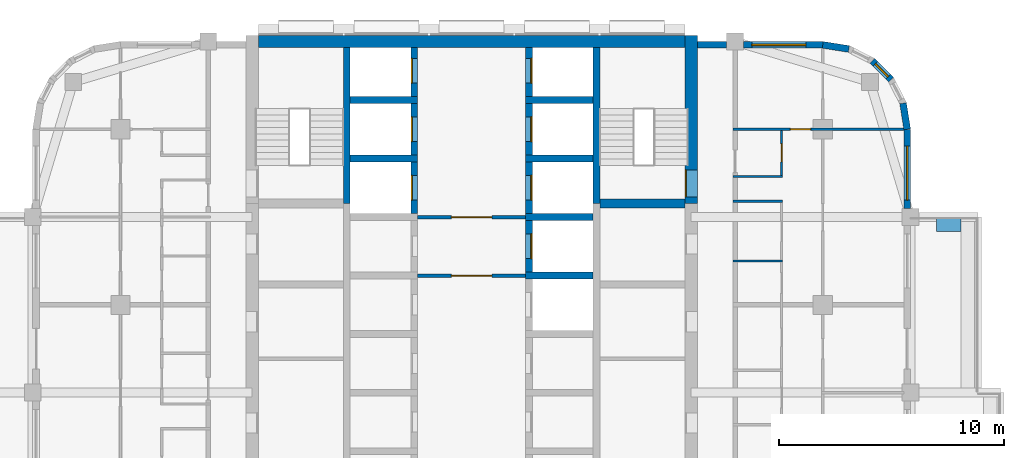
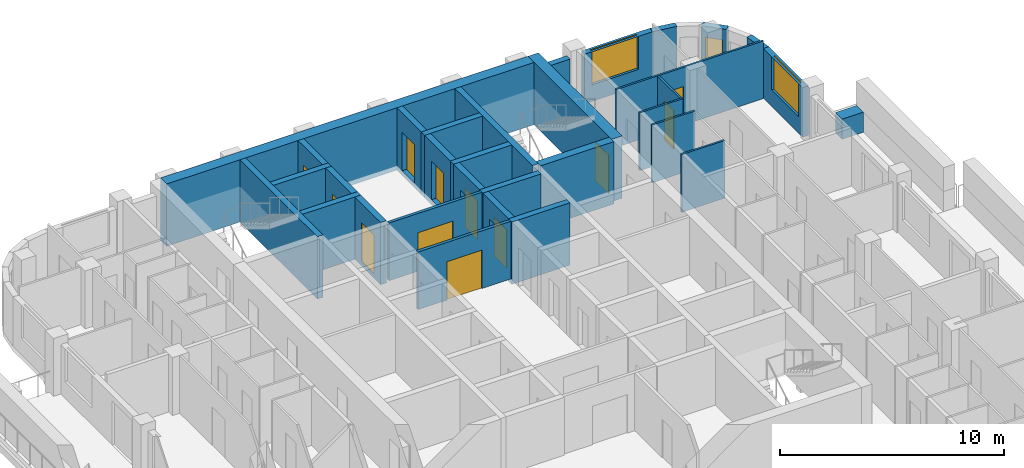
# One storey, part 8 of 13: 32 walls, 12 doors, 3 windows, 15 openings.
"""IFC4 building model written with IfcOpenShell, lengths in metres."""

from ifc_helpers import new_model, si_unit, direction, frame, frame_2d, origin, place, context, subcontext, project, spatial, rectangle, extrude, material, layer, layer_set, type_object, element, fill, save


model = new_model("IFC4")

# Units and contexts
model_context = context("Model", 3, precision=1e-05, world=origin(), true_north=direction((0.0, 1.0)))
body_context = subcontext(model_context, "Body", "Model", "MODEL_VIEW")
ifc_project = project(units=[si_unit("LENGTHUNIT", "METRE"), si_unit("AREAUNIT", "SQUARE_METRE"), si_unit("VOLUMEUNIT", "CUBIC_METRE"), si_unit("PLANEANGLEUNIT", "RADIAN"), si_unit("MASSUNIT", "GRAM", prefix="KILO")], contexts=[model_context])

# Site, building, storey
site_placement = place(None, origin())
site = spatial("IfcSite", under=ifc_project, at=site_placement, CompositionType="ELEMENT")
building_placement = place(site_placement, origin())
building = spatial("IfcBuilding", under=site, at=building_placement, Name="Ludao Terraces", CompositionType="ELEMENT")
storey_placement = place(building_placement, frame((0.0, 0.0, 165.60009765625)))
storey = spatial("IfcBuildingStorey", under=building, at=storey_placement, Name="L45", CompositionType="ELEMENT", Elevation=165.60009765625)

# Wall, opening, door
ifc_material_1 = material(Name="Concrete C60", Category="concrete")
ifc_layer_1 = layer(ifc_material_1, 0.550048828125)
ifc_layer_set_1 = layer_set([ifc_layer_1], Name="Core wall 550 C60")
wall_type_1 = type_object("IfcWallType", Name="Core wall 550 C60", PredefinedType="SOLIDWALL", material=ifc_layer_set_1)
wall_1_placement = place(storey_placement, frame((94.75, 77.300048828125, -0.25), z_axis=(0.0, 0.0, 1.0), x_axis=(0.0, 1.0, 0.0)))
wall_1 = element("IfcWall", 1, at=wall_1_placement, inside=storey, type_object=wall_type_1, Name="Core wall L45 outer-E-S2", PredefinedType="SOLIDWALL", context=body_context, shape_type="SweptSolid", body=[
    extrude(rectangle(XDim=7.474853515625, YDim=0.550048828125, at=frame_2d((3.7373046875, 0.0))), origin(), (0.0, 0.0, 1.0), 3.39990234375),
])
opening_1_placement = place(wall_1_placement, frame((0.300048828125, 0.0, 0.25)))
opening_1 = element("IfcOpeningElement", 2, at=opening_1_placement, cuts=wall_1, Name="Opening R15-076", PredefinedType="OPENING", context=body_context, shape_type="SweptSolid", body=[
    extrude(rectangle(XDim=1.199951171875, YDim=2.10009765625, at=frame_2d((0.60009765625, 1.050048828125))), frame((0.0, 0.28515625, 0.0), z_axis=(0.0, -1.0, 0.0), x_axis=(1.0, 0.0, 0.0)), (0.0, 0.0, 1.0), 0.570068359375),
])
ifc_material_2 = material(Name="Steel Q235", Category="steel")
door_type_1 = type_object("IfcDoorType", Name="INT Stair door 1200", OperationType="DOUBLE_DOOR_SINGLE_SWING", PredefinedType="DOOR", material=ifc_material_2)
door_1_placement = place(opening_1_placement, origin())
door_1 = element("IfcDoor", 3, at=door_1_placement, inside=storey, type_object=door_type_1, Name="DOOR 076", OperationType="DOUBLE_DOOR_SINGLE_SWING", OverallHeight=2.10009765625, OverallWidth=1.199951171875, PredefinedType="DOOR", context=body_context, shape_type="SweptSolid", body=[
    extrude(rectangle(XDim=1.199951171875, YDim=2.10009765625, at=frame_2d((0.60009765625, 1.050048828125))), frame((0.0, 0.26025390625, 0.0), z_axis=(0.0, -1.0, 0.0), x_axis=(1.0, 0.0, 0.0)), (0.0, 0.0, 1.0), 0.050048828125),
])
fill(opening_1, door_1)

# Walls
wall_2_placement = place(storey_placement, frame((75.52490234375, 84.5, -0.25), z_axis=(0.0, 0.0, 1.0), x_axis=(1.0, 0.0, 0.0)))
element("IfcWall", 4, at=wall_2_placement, inside=storey, type_object=wall_type_1, Name="Core wall L45 outer-N", PredefinedType="SOLIDWALL", context=body_context, shape_type="SweptSolid", body=[
    extrude(rectangle(XDim=18.9501953125, YDim=0.550048828125, at=frame_2d((9.47509765625, 0.0))), origin(), (0.0, 0.0, 1.0), 3.39990234375),
])
ifc_material_3 = material(Name="Concrete C40", Category="concrete")
ifc_layer_2 = layer(ifc_material_3, 0.60009765625)
ifc_layer_set_2 = layer_set([ifc_layer_2], Name="ENV Planter trough 600")
wall_type_2 = type_object("IfcWallType", Name="ENV Planter trough 600", PredefinedType="USERDEFINED", material=ifc_layer_set_2)
wall_3_placement = place(storey_placement, frame((106.75, 76.35009765625, 0.0), z_axis=(0.0, 0.0, 1.0), x_axis=(-1.0, 0.0, 0.0)))
element("IfcWall", 5, at=wall_3_placement, inside=storey, type_object=wall_type_2, Name="PL-L45-E3-SB", ObjectType="PLANTER", PredefinedType="USERDEFINED", context=body_context, shape_type="SweptSolid", body=[
    extrude(rectangle(XDim=1.10009765625, YDim=0.60009765625, at=frame_2d((0.550048828125, 0.0))), origin(), (0.0, 0.0, 1.0), 1.099853515625),
])

# Wall, opening, window
ifc_material_4 = material(Name="Granite cladding", Category="masonry")
ifc_layer_3 = layer(ifc_material_4, 0.0400390625, Category="stone")
ifc_material_5 = material(Name="Mineral wool")
ifc_layer_4 = layer(ifc_material_5, 0.06005859375)
ifc_layer_5 = layer(ifc_material_3, 0.199951171875, Category="concrete")
ifc_layer_set_3 = layer_set([ifc_layer_3, ifc_layer_4, ifc_layer_5], Name="ENV Stone-clad wall 300")
wall_type_3 = type_object("IfcWallType", Name="ENV Stone-clad wall 300", PredefinedType="SOLIDWALL", material=ifc_layer_set_3)
wall_4_placement = place(storey_placement, frame((104.35009765625, 77.074951171875, 0.0), z_axis=(0.0, 0.0, 1.0), x_axis=(0.0, 1.0, 0.0)))
wall_4 = element("IfcWall", 6, at=wall_4_placement, inside=storey, type_object=wall_type_3, Name="EW-L45-E5", PredefinedType="SOLIDWALL", context=body_context, shape_type="SweptSolid", body=[
    extrude(rectangle(XDim=3.525146484375, YDim=0.300048828125, at=frame_2d((1.7626953125, 0.0))), origin(), (0.0, 0.0, 1.0), 2.699951171875),
])
opening_2_placement = place(wall_4_placement, frame((0.375, 0.0, 0.89990234375)))
opening_2 = element("IfcOpeningElement", 7, at=opening_2_placement, cuts=wall_4, Name="Opening W1", PredefinedType="OPENING", context=body_context, shape_type="SweptSolid", body=[
    extrude(rectangle(XDim=2.39990234375, YDim=1.800048828125, at=frame_2d((1.199951171875, 0.89990234375))), frame((0.0, 0.16015625, 0.0), z_axis=(0.0, -1.0, 0.0), x_axis=(1.0, 0.0, 0.0)), (0.0, 0.0, 1.0), 0.320068359375),
])
ifc_material_6 = material(Name="Clear glass in aluminium frame", Category="aluminium")
ifc_layer_6 = layer(ifc_material_6, 0.06005859375)
ifc_layer_set_4 = layer_set([ifc_layer_6], Name="ENV Window W1 2400x1800")
window_type_1 = type_object("IfcWindowType", Name="ENV Window W1 2400x1800", PartitioningType="DOUBLE_PANEL_VERTICAL", PredefinedType="WINDOW", material=ifc_layer_set_4)
window_1_placement = place(opening_2_placement, origin())
window_1 = element("IfcWindow", 8, at=window_1_placement, inside=storey, type_object=window_type_1, Name="W-L45-E5-1", OverallHeight=1.800048828125, OverallWidth=2.39990234375, PartitioningType="DOUBLE_PANEL_VERTICAL", PredefinedType="WINDOW", context=body_context, shape_type="SweptSolid", body=[
    extrude(rectangle(XDim=2.39990234375, YDim=1.800048828125, at=frame_2d((1.199951171875, 0.89990234375))), frame((0.0, 0.030029296875, 0.0), z_axis=(0.0, -1.0, 0.0), x_axis=(1.0, 0.0, 0.0)), (0.0, 0.0, 1.0), 0.06005859375),
])
fill(opening_2, window_1)

# Wall
wall_5_placement = place(storey_placement, frame((95.02490234375, 84.35009765625, 0.0), z_axis=(0.0, 0.0, 1.0), x_axis=(1.0, 0.0, 0.0)))
element("IfcWall", 9, at=wall_5_placement, inside=storey, type_object=wall_type_3, Name="EW-L45-N3", PredefinedType="SOLIDWALL", context=body_context, shape_type="SweptSolid", body=[
    extrude(rectangle(XDim=1.300048828125, YDim=0.300048828125, at=frame_2d((0.64990234375, 0.0))), origin(), (0.0, 0.0, 1.0), 2.699951171875),
])

# Wall, opening, window
wall_6_placement = place(storey_placement, frame((97.074951171875, 84.35009765625, 0.0), z_axis=(0.0, 0.0, 1.0), x_axis=(1.0, 0.0, 0.0)))
wall_6 = element("IfcWall", 10, at=wall_6_placement, inside=storey, type_object=wall_type_3, Name="EW-L45-N4", PredefinedType="SOLIDWALL", context=body_context, shape_type="SweptSolid", body=[
    extrude(rectangle(XDim=3.525146484375, YDim=0.300048828125, at=frame_2d((1.7626953125, 0.0))), origin(), (0.0, 0.0, 1.0), 2.699951171875),
])
opening_3_placement = place(wall_6_placement, frame((0.375, 0.0, 0.89990234375)))
opening_3 = element("IfcOpeningElement", 11, at=opening_3_placement, cuts=wall_6, Name="Opening W1", PredefinedType="OPENING", context=body_context, shape_type="SweptSolid", body=[
    extrude(rectangle(XDim=2.39990234375, YDim=1.800048828125, at=frame_2d((1.199951171875, 0.89990234375))), frame((0.0, 0.16015625, 0.0), z_axis=(0.0, -1.0, 0.0), x_axis=(1.0, 0.0, 0.0)), (0.0, 0.0, 1.0), 0.320068359375),
])
window_2_placement = place(opening_3_placement, origin())
window_2 = element("IfcWindow", 12, at=window_2_placement, inside=storey, type_object=window_type_1, Name="W-L45-N4-1", OverallHeight=1.800048828125, OverallWidth=2.39990234375, PartitioningType="DOUBLE_PANEL_VERTICAL", PredefinedType="WINDOW", context=body_context, shape_type="SweptSolid", body=[
    extrude(rectangle(XDim=2.39990234375, YDim=1.800048828125, at=frame_2d((1.199951171875, 0.89990234375))), frame((0.0, 0.030029296875, 0.0), z_axis=(0.0, -1.0, 0.0), x_axis=(1.0, 0.0, 0.0)), (0.0, 0.0, 1.0), 0.06005859375),
])
fill(opening_3, window_2)

# Wall
wall_7_placement = place(storey_placement, frame((104.35009765625, 80.60009765625, 0.0), z_axis=(0.0, 0.0, 1.0), x_axis=(-0.156496880861, 0.987678452879, 0.0)))
element("IfcWall", 13, at=wall_7_placement, inside=storey, type_object=wall_type_3, Name="EW-L45-NE1", PredefinedType="SOLIDWALL", context=body_context, shape_type="SweptSolid", body=[
    extrude(rectangle(XDim=1.173095703125, YDim=0.300048828125, at=frame_2d((0.58642578125, 0.0))), origin(), (0.0, 0.0, 1.0), 2.699951171875),
])

# Wall, opening, window
wall_8_placement = place(storey_placement, frame((103.6337890625, 82.80419921875, 0.0), z_axis=(0.0, 0.0, 1.0), x_axis=(-0.707106781187, 0.707106781187, 0.0)))
wall_8 = element("IfcWall", 14, at=wall_8_placement, inside=storey, type_object=wall_type_3, Name="EW-L45-NE3", PredefinedType="SOLIDWALL", context=body_context, shape_type="SweptSolid", body=[
    extrude(rectangle(XDim=1.173095703125, YDim=0.300048828125, at=frame_2d((0.58642578125, 0.0))), origin(), (0.0, 0.0, 1.0), 2.699951171875),
])
opening_4_placement = place(wall_8_placement, frame((0.1865234375, 0.0, 0.89990234375)))
opening_4 = element("IfcOpeningElement", 15, at=opening_4_placement, cuts=wall_8, Name="Opening W3", PredefinedType="OPENING", context=body_context, shape_type="SweptSolid", body=[
    extrude(rectangle(XDim=0.800048828125, YDim=1.199951171875, at=frame_2d((0.39990234375, 0.60009765625))), frame((0.0, 0.16015625, 0.0), z_axis=(0.0, -1.0, 0.0), x_axis=(1.0, 0.0, 0.0)), (0.0, 0.0, 1.0), 0.320068359375),
])
ifc_layer_7 = layer(ifc_material_6, 0.06005859375)
ifc_layer_set_5 = layer_set([ifc_layer_7], Name="ENV Window W3 800x1200")
window_type_2 = type_object("IfcWindowType", Name="ENV Window W3 800x1200", PartitioningType="SINGLE_PANEL", PredefinedType="WINDOW", material=ifc_layer_set_5)
window_3_placement = place(opening_4_placement, origin())
window_3 = element("IfcWindow", 16, at=window_3_placement, inside=storey, type_object=window_type_2, Name="W-L45-NE3", OverallHeight=1.199951171875, OverallWidth=0.800048828125, PartitioningType="SINGLE_PANEL", PredefinedType="WINDOW", context=body_context, shape_type="SweptSolid", body=[
    extrude(rectangle(XDim=0.800048828125, YDim=1.199951171875, at=frame_2d((0.39990234375, 0.60009765625))), frame((0.0, 0.030029296875, 0.0), z_axis=(0.0, -1.0, 0.0), x_axis=(1.0, 0.0, 0.0)), (0.0, 0.0, 1.0), 0.06005859375),
])
fill(opening_4, window_3)

# Wall
wall_9_placement = place(storey_placement, frame((101.7587890625, 84.16650390625, 0.0), z_axis=(0.0, 0.0, 1.0), x_axis=(-0.987678452879, 0.156496880861, 0.0)))
element("IfcWall", 17, at=wall_9_placement, inside=storey, type_object=wall_type_3, Name="EW-L45-NE5", PredefinedType="SOLIDWALL", context=body_context, shape_type="SweptSolid", body=[
    extrude(rectangle(XDim=1.173095703125, YDim=0.300048828125, at=frame_2d((0.58642578125, 0.0))), origin(), (0.0, 0.0, 1.0), 2.699951171875),
])

# Wall, opening, door
ifc_material_7 = material(Name="Fire-rated gypsum plasterboard", Category="gypsum")
ifc_layer_8 = layer(ifc_material_7, 0.012451171875, Category="gypsum")
ifc_layer_9 = layer(ifc_material_5, 0.10009765625, Name="insulation")
ifc_layer_10 = layer(ifc_material_2, 0.02490234375, Name="stud")
ifc_layer_11 = layer(ifc_material_7, 0.012451171875, Category="gypsum")
ifc_layer_set_6 = layer_set([ifc_layer_8, ifc_layer_9, ifc_layer_10, ifc_layer_11], Name="INT Core partition 150")
wall_type_4 = type_object("IfcWallType", Name="INT Core partition 150", PredefinedType="PARTITIONING", material=ifc_layer_set_6)
wall_10_placement = place(storey_placement, frame((82.60009765625, 74.10009765625, 0.0), z_axis=(0.0, 0.0, 1.0), x_axis=(1.0, 0.0, 0.0)))
wall_10 = element("IfcWall", 18, at=wall_10_placement, inside=storey, type_object=wall_type_4, Name="PW-L45-PW034", PredefinedType="PARTITIONING", context=body_context, shape_type="SweptSolid", body=[
    extrude(rectangle(XDim=4.800048828125, YDim=0.14990234375, at=frame_2d((2.39990234375, 0.0))), origin(), (0.0, 0.0, 1.0), 3.14990234375),
])
opening_5_placement = place(wall_10_placement, frame((1.5, 0.0, 0.0)))
opening_5 = element("IfcOpeningElement", 19, at=opening_5_placement, cuts=wall_10, Name="Opening R15-061", PredefinedType="OPENING", context=body_context, shape_type="SweptSolid", body=[
    extrude(rectangle(XDim=1.800048828125, YDim=2.10009765625, at=frame_2d((0.89990234375, 1.050048828125))), frame((0.0, 0.0849609375, 0.0), z_axis=(0.0, -1.0, 0.0), x_axis=(1.0, 0.0, 0.0)), (0.0, 0.0, 1.0), 0.169921875),
])
door_type_2 = type_object("IfcDoorType", Name="INT Fire lobby door 1800", OperationType="DOUBLE_DOOR_SINGLE_SWING", PredefinedType="DOOR", material=ifc_material_2)
door_2_placement = place(opening_5_placement, origin())
door_2 = element("IfcDoor", 20, at=door_2_placement, inside=storey, type_object=door_type_2, Name="DOOR 061", OperationType="DOUBLE_DOOR_SINGLE_SWING", OverallHeight=2.10009765625, OverallWidth=1.800048828125, PredefinedType="DOOR", context=body_context, shape_type="SweptSolid", body=[
    extrude(rectangle(XDim=1.800048828125, YDim=2.10009765625, at=frame_2d((0.89990234375, 1.050048828125))), frame((0.0, 0.02490234375, 0.0), z_axis=(0.0, -1.0, 0.0), x_axis=(1.0, 0.0, 0.0)), (0.0, 0.0, 1.0), 0.050048828125),
])
fill(opening_5, door_2)

wall_11_placement = place(storey_placement, frame((82.60009765625, 76.699951171875, 0.0), z_axis=(0.0, 0.0, 1.0), x_axis=(1.0, 0.0, 0.0)))
wall_11 = element("IfcWall", 21, at=wall_11_placement, inside=storey, type_object=wall_type_4, Name="PW-L45-PW039", PredefinedType="PARTITIONING", context=body_context, shape_type="SweptSolid", body=[
    extrude(rectangle(XDim=4.800048828125, YDim=0.14990234375, at=frame_2d((2.39990234375, 0.0))), origin(), (0.0, 0.0, 1.0), 3.14990234375),
])
opening_6_placement = place(wall_11_placement, frame((1.5, 0.0, 0.0)))
opening_6 = element("IfcOpeningElement", 22, at=opening_6_placement, cuts=wall_11, Name="Opening R15-069", PredefinedType="OPENING", context=body_context, shape_type="SweptSolid", body=[
    extrude(rectangle(XDim=1.800048828125, YDim=2.10009765625, at=frame_2d((0.89990234375, 1.050048828125))), frame((0.0, 0.0849609375, 0.0), z_axis=(0.0, -1.0, 0.0), x_axis=(1.0, 0.0, 0.0)), (0.0, 0.0, 1.0), 0.169921875),
])
door_3_placement = place(opening_6_placement, origin())
door_3 = element("IfcDoor", 23, at=door_3_placement, inside=storey, type_object=door_type_2, Name="DOOR 069", OperationType="DOUBLE_DOOR_SINGLE_SWING", OverallHeight=2.10009765625, OverallWidth=1.800048828125, PredefinedType="DOOR", context=body_context, shape_type="SweptSolid", body=[
    extrude(rectangle(XDim=1.800048828125, YDim=2.10009765625, at=frame_2d((0.89990234375, 1.050048828125))), frame((0.0, 0.02490234375, 0.0), z_axis=(0.0, -1.0, 0.0), x_axis=(1.0, 0.0, 0.0)), (0.0, 0.0, 1.0), 0.050048828125),
])
fill(opening_6, door_3)

# Walls
ifc_material_8 = material(Name="Gypsum plasterboard", Category="gypsum")
ifc_layer_12 = layer(ifc_material_8, 0.012451171875, Category="gypsum")
ifc_layer_13 = layer(ifc_material_5, 0.06005859375, Name="insulation")
ifc_layer_14 = layer(ifc_material_2, 0.014892578125, Name="stud")
ifc_layer_15 = layer(ifc_material_8, 0.012451171875, Category="gypsum")
ifc_layer_set_7 = layer_set([ifc_layer_12, ifc_layer_13, ifc_layer_14, ifc_layer_15], Name="INT Partition 100")
wall_type_5 = type_object("IfcWallType", Name="INT Partition 100", PredefinedType="PARTITIONING", material=ifc_layer_set_7)
for number, where, z_axis, x_axis, name in (
    (24, (96.60009765625, 74.75, 0.0), (0.0, 0.0, 1.0), (1.0, 0.0, 0.0), "PW-L45-PW035"),
    (25, (96.60009765625, 77.39990234375, 0.0), (0.0, 0.0, 1.0), (1.0, 0.0, 0.0), "PW-L45-PW040"),
    (26, (96.60009765625, 78.5, 0.0), (0.0, 0.0, 1.0), (1.0, 0.0, 0.0), "PW-L45-PW042"),
):
    element("IfcWall", number, at=place(storey_placement, frame(where, z_axis=z_axis, x_axis=x_axis)), inside=storey, type_object=wall_type_5, Name=name, PredefinedType="PARTITIONING", context=body_context, shape_type="SweptSolid", body=[
        extrude(rectangle(XDim=2.219970703125, YDim=0.10009765625, at=frame_2d((1.10986328125, 0.0))), origin(), (0.0, 0.0, 1.0), 3.14990234375),
    ])

# Wall, opening, door
wall_12_placement = place(storey_placement, frame((96.60009765625, 80.60009765625, 0.0), z_axis=(0.0, 0.0, 1.0), x_axis=(1.0, 0.0, 0.0)))
wall_12 = element("IfcWall", 27, at=wall_12_placement, inside=storey, type_object=wall_type_5, Name="PW-L45-PW045", PredefinedType="PARTITIONING", context=body_context, shape_type="SweptSolid", body=[
    extrude(rectangle(XDim=7.60009765625, YDim=0.10009765625, at=frame_2d((3.800048828125, 0.0))), origin(), (0.0, 0.0, 1.0), 3.14990234375),
])
opening_7_placement = place(wall_12_placement, frame((2.56005859375, 0.0, 0.0)))
opening_7 = element("IfcOpeningElement", 28, at=opening_7_placement, cuts=wall_12, Name="Opening R15-084", PredefinedType="OPENING", context=body_context, shape_type="SweptSolid", body=[
    extrude(rectangle(XDim=0.89990234375, YDim=2.10009765625, at=frame_2d((0.449951171875, 1.050048828125))), frame((0.0, 0.06005859375, 0.0), z_axis=(0.0, -1.0, 0.0), x_axis=(1.0, 0.0, 0.0)), (0.0, 0.0, 1.0), 0.1201171875),
])
ifc_material_9 = material(Name="Timber door leaf", Category="wood")
door_type_3 = type_object("IfcDoorType", Name="INT Room door 900", OperationType="SINGLE_SWING_LEFT", PredefinedType="DOOR", material=ifc_material_9)
door_4_placement = place(opening_7_placement, origin())
door_4 = element("IfcDoor", 29, at=door_4_placement, inside=storey, type_object=door_type_3, Name="DOOR 084", OperationType="SINGLE_SWING_RIGHT", OverallHeight=2.10009765625, OverallWidth=0.89990234375, PredefinedType="DOOR", context=body_context, shape_type="SweptSolid", body=[
    extrude(rectangle(XDim=0.89990234375, YDim=2.10009765625, at=frame_2d((0.449951171875, 1.050048828125))), frame((0.0, 0.02490234375, 0.0), z_axis=(0.0, -1.0, 0.0), x_axis=(1.0, 0.0, 0.0)), (0.0, 0.0, 1.0), 0.050048828125),
])
fill(opening_7, door_4)

wall_13_placement = place(storey_placement, frame((98.77001953125, 78.550048828125, 0.0), z_axis=(0.0, 0.0, 1.0), x_axis=(0.0, 1.0, 0.0)))
wall_13 = element("IfcWall", 30, at=wall_13_placement, inside=storey, type_object=wall_type_5, Name="PW-L45-PW060", PredefinedType="PARTITIONING", context=body_context, shape_type="SweptSolid", body=[
    extrude(rectangle(XDim=2.0, YDim=0.10009765625, at=frame_2d((1.0, 0.0))), origin(), (0.0, 0.0, 1.0), 3.14990234375),
])
opening_8_placement = place(wall_13_placement, frame((0.60009765625, 0.0, 0.0)))
opening_8 = element("IfcOpeningElement", 31, at=opening_8_placement, cuts=wall_13, Name="Opening R15-079", PredefinedType="OPENING", context=body_context, shape_type="SweptSolid", body=[
    extrude(rectangle(XDim=0.800048828125, YDim=2.10009765625, at=frame_2d((0.39990234375, 1.050048828125))), frame((0.0, 0.06005859375, 0.0), z_axis=(0.0, -1.0, 0.0), x_axis=(1.0, 0.0, 0.0)), (0.0, 0.0, 1.0), 0.1201171875),
])
door_type_4 = type_object("IfcDoorType", Name="INT Store door 800", OperationType="SINGLE_SWING_LEFT", PredefinedType="DOOR", material=ifc_material_9)
door_5_placement = place(opening_8_placement, origin())
door_5 = element("IfcDoor", 32, at=door_5_placement, inside=storey, type_object=door_type_4, Name="DOOR 079", OperationType="SINGLE_SWING_LEFT", OverallHeight=2.10009765625, OverallWidth=0.800048828125, PredefinedType="DOOR", context=body_context, shape_type="SweptSolid", body=[
    extrude(rectangle(XDim=0.800048828125, YDim=2.10009765625, at=frame_2d((0.39990234375, 1.050048828125))), frame((0.0, 0.02490234375, 0.0), z_axis=(0.0, -1.0, 0.0), x_axis=(1.0, 0.0, 0.0)), (0.0, 0.0, 1.0), 0.050048828125),
])
fill(opening_8, door_5)

# Walls
ifc_material_10 = material(Name="Concrete C55", Category="concrete")
ifc_layer_16 = layer(ifc_material_10, 0.300048828125)
ifc_layer_set_8 = layer_set([ifc_layer_16], Name="Shaft wall 300 C55")
wall_type_6 = type_object("IfcWallType", Name="Shaft wall 300 C55", PredefinedType="SOLIDWALL", material=ifc_layer_set_8)
for number, where, z_axis, x_axis, name in (
    (33, (79.449951171875, 77.300048828125, -0.25), (0.0, 0.0, 1.0), (0.0, 1.0, 0.0), "Core wall L45 back-W-S1"),
    (34, (90.550048828125, 77.300048828125, -0.25), (0.0, 0.0, 1.0), (0.0, 1.0, 0.0), "Core wall L45 back-E-S2"),
):
    element("IfcWall", number, at=place(storey_placement, frame(where, z_axis=z_axis, x_axis=x_axis)), inside=storey, type_object=wall_type_6, Name=name, PredefinedType="SOLIDWALL", context=body_context, shape_type="SweptSolid", body=[
        extrude(rectangle(XDim=6.925048828125, YDim=0.300048828125, at=frame_2d((3.46240234375, 0.0))), origin(), (0.0, 0.0, 1.0), 3.39990234375),
    ])

# Wall, opening, door
wall_14_placement = place(storey_placement, frame((82.449951171875, 76.85009765625, -0.25), z_axis=(0.0, 0.0, 1.0), x_axis=(0.0, 1.0, 0.0)))
wall_14 = element("IfcWall", 35, at=wall_14_placement, inside=storey, type_object=wall_type_6, Name="Core wall L45 front-W7", PredefinedType="SOLIDWALL", context=body_context, shape_type="SweptSolid", body=[
    extrude(rectangle(XDim=2.2998046875, YDim=0.300048828125, at=frame_2d((1.14990234375, 0.0))), origin(), (0.0, 0.0, 1.0), 3.39990234375),
])
opening_9_placement = place(wall_14_placement, frame((0.60009765625, 0.0, 0.25)))
opening_9 = element("IfcOpeningElement", 36, at=opening_9_placement, cuts=wall_14, Name="Opening LD-FF1", PredefinedType="OPENING", context=body_context, shape_type="SweptSolid", body=[
    extrude(rectangle(XDim=1.10009765625, YDim=2.10009765625, at=frame_2d((0.550048828125, 1.050048828125))), frame((0.0, 0.16015625, 0.0), z_axis=(0.0, -1.0, 0.0), x_axis=(1.0, 0.0, 0.0)), (0.0, 0.0, 1.0), 0.320068359375),
])
ifc_material_11 = material(Name="Stainless steel 304", Category="steel")
door_type_5 = type_object("IfcDoorType", Name="INT Lift landing door 1100", OperationType="SLIDING_TO_LEFT", PredefinedType="DOOR", material=ifc_material_11)
door_6_placement = place(opening_9_placement, origin())
door_6 = element("IfcDoor", 37, at=door_6_placement, inside=storey, type_object=door_type_5, Name="LANDING DOOR FF1 L45", OperationType="SLIDING_TO_LEFT", OverallHeight=2.10009765625, OverallWidth=1.10009765625, PredefinedType="DOOR", context=body_context, shape_type="SweptSolid", body=[
    extrude(rectangle(XDim=1.10009765625, YDim=2.10009765625, at=frame_2d((0.550048828125, 1.050048828125))), frame((0.0, 0.13525390625, 0.0), z_axis=(0.0, -1.0, 0.0), x_axis=(1.0, 0.0, 0.0)), (0.0, 0.0, 1.0), 0.050048828125),
])
fill(opening_9, door_6)

# Wall
wall_15_placement = place(storey_placement, frame((79.60009765625, 79.300048828125, -0.25), z_axis=(0.0, 0.0, 1.0), x_axis=(1.0, 0.0, 0.0)))
element("IfcWall", 38, at=wall_15_placement, inside=storey, type_object=wall_type_6, Name="Core wall L45 div-W8", PredefinedType="SOLIDWALL", context=body_context, shape_type="SweptSolid", body=[
    extrude(rectangle(XDim=3.0, YDim=0.300048828125, at=frame_2d((1.5, 0.0))), origin(), (0.0, 0.0, 1.0), 3.39990234375),
])

# Wall, opening, door
wall_16_placement = place(storey_placement, frame((82.449951171875, 79.449951171875, -0.25), z_axis=(0.0, 0.0, 1.0), x_axis=(0.0, 1.0, 0.0)))
wall_16 = element("IfcWall", 39, at=wall_16_placement, inside=storey, type_object=wall_type_6, Name="Core wall L45 front-W8", PredefinedType="SOLIDWALL", context=body_context, shape_type="SweptSolid", body=[
    extrude(rectangle(XDim=2.300048828125, YDim=0.300048828125, at=frame_2d((1.14990234375, 0.0))), origin(), (0.0, 0.0, 1.0), 3.39990234375),
])
opening_10_placement = place(wall_16_placement, frame((0.60009765625, 0.0, 0.25)))
opening_10 = element("IfcOpeningElement", 40, at=opening_10_placement, cuts=wall_16, Name="Opening LD-FF2", PredefinedType="OPENING", context=body_context, shape_type="SweptSolid", body=[
    extrude(rectangle(XDim=1.10009765625, YDim=2.10009765625, at=frame_2d((0.550048828125, 1.050048828125))), frame((0.0, 0.16015625, 0.0), z_axis=(0.0, -1.0, 0.0), x_axis=(1.0, 0.0, 0.0)), (0.0, 0.0, 1.0), 0.320068359375),
])
door_7_placement = place(opening_10_placement, origin())
door_7 = element("IfcDoor", 41, at=door_7_placement, inside=storey, type_object=door_type_5, Name="LANDING DOOR FF2 L45", OperationType="SLIDING_TO_LEFT", OverallHeight=2.10009765625, OverallWidth=1.10009765625, PredefinedType="DOOR", context=body_context, shape_type="SweptSolid", body=[
    extrude(rectangle(XDim=1.10009765625, YDim=2.10009765625, at=frame_2d((0.550048828125, 1.050048828125))), frame((0.0, 0.13525390625, 0.0), z_axis=(0.0, -1.0, 0.0), x_axis=(1.0, 0.0, 0.0)), (0.0, 0.0, 1.0), 0.050048828125),
])
fill(opening_10, door_7)

# Wall
wall_17_placement = place(storey_placement, frame((79.60009765625, 81.89990234375, -0.25), z_axis=(0.0, 0.0, 1.0), x_axis=(1.0, 0.0, 0.0)))
element("IfcWall", 42, at=wall_17_placement, inside=storey, type_object=wall_type_6, Name="Core wall L45 div-W9", PredefinedType="SOLIDWALL", context=body_context, shape_type="SweptSolid", body=[
    extrude(rectangle(XDim=3.0, YDim=0.300048828125, at=frame_2d((1.5, 0.0))), origin(), (0.0, 0.0, 1.0), 3.39990234375),
])

# Wall, opening, door
wall_18_placement = place(storey_placement, frame((82.449951171875, 82.050048828125, -0.25), z_axis=(0.0, 0.0, 1.0), x_axis=(0.0, 1.0, 0.0)))
wall_18 = element("IfcWall", 43, at=wall_18_placement, inside=storey, type_object=wall_type_6, Name="Core wall L45 front-W9", PredefinedType="SOLIDWALL", context=body_context, shape_type="SweptSolid", body=[
    extrude(rectangle(XDim=2.175048828125, YDim=0.300048828125, at=frame_2d((1.08740234375, 0.0))), origin(), (0.0, 0.0, 1.0), 3.39990234375),
])
opening_11_placement = place(wall_18_placement, frame((0.60009765625, 0.0, 0.25)))
opening_11 = element("IfcOpeningElement", 44, at=opening_11_placement, cuts=wall_18, Name="Opening LD-LB6", PredefinedType="OPENING", context=body_context, shape_type="SweptSolid", body=[
    extrude(rectangle(XDim=1.10009765625, YDim=2.10009765625, at=frame_2d((0.550048828125, 1.050048828125))), frame((0.0, 0.16015625, 0.0), z_axis=(0.0, -1.0, 0.0), x_axis=(1.0, 0.0, 0.0)), (0.0, 0.0, 1.0), 0.320068359375),
])
door_8_placement = place(opening_11_placement, origin())
door_8 = element("IfcDoor", 45, at=door_8_placement, inside=storey, type_object=door_type_5, Name="LANDING DOOR LB6 L45", OperationType="SLIDING_TO_RIGHT", OverallHeight=2.10009765625, OverallWidth=1.10009765625, PredefinedType="DOOR", context=body_context, shape_type="SweptSolid", body=[
    extrude(rectangle(XDim=1.10009765625, YDim=2.10009765625, at=frame_2d((0.550048828125, 1.050048828125))), frame((0.0, 0.13525390625, 0.0), z_axis=(0.0, -1.0, 0.0), x_axis=(1.0, 0.0, 0.0)), (0.0, 0.0, 1.0), 0.050048828125),
])
fill(opening_11, door_8)

# Wall
wall_19_placement = place(storey_placement, frame((87.39990234375, 74.10009765625, -0.25), z_axis=(0.0, 0.0, 1.0), x_axis=(1.0, 0.0, 0.0)))
element("IfcWall", 46, at=wall_19_placement, inside=storey, type_object=wall_type_6, Name="Core wall L45 div-E6", PredefinedType="SOLIDWALL", context=body_context, shape_type="SweptSolid", body=[
    extrude(rectangle(XDim=3.0, YDim=0.300048828125, at=frame_2d((1.5, 0.0))), origin(), (0.0, 0.0, 1.0), 3.39990234375),
])

# Wall, opening, door
wall_20_placement = place(storey_placement, frame((87.550048828125, 74.25, -0.25), z_axis=(0.0, 0.0, 1.0), x_axis=(0.0, 1.0, 0.0)))
wall_20 = element("IfcWall", 47, at=wall_20_placement, inside=storey, type_object=wall_type_6, Name="Core wall L45 front-E6", PredefinedType="SOLIDWALL", context=body_context, shape_type="SweptSolid", body=[
    extrude(rectangle(XDim=2.300048828125, YDim=0.300048828125, at=frame_2d((1.14990234375, 0.0))), origin(), (0.0, 0.0, 1.0), 3.39990234375),
])
opening_12_placement = place(wall_20_placement, frame((0.60009765625, 0.0, 0.25)))
opening_12 = element("IfcOpeningElement", 48, at=opening_12_placement, cuts=wall_20, Name="Opening LD-LB2", PredefinedType="OPENING", context=body_context, shape_type="SweptSolid", body=[
    extrude(rectangle(XDim=1.10009765625, YDim=2.10009765625, at=frame_2d((0.550048828125, 1.050048828125))), frame((0.0, 0.16015625, 0.0), z_axis=(0.0, -1.0, 0.0), x_axis=(1.0, 0.0, 0.0)), (0.0, 0.0, 1.0), 0.320068359375),
])
door_9_placement = place(opening_12_placement, origin())
door_9 = element("IfcDoor", 49, at=door_9_placement, inside=storey, type_object=door_type_5, Name="LANDING DOOR LB2 L45", OperationType="SLIDING_TO_LEFT", OverallHeight=2.10009765625, OverallWidth=1.10009765625, PredefinedType="DOOR", context=body_context, shape_type="SweptSolid", body=[
    extrude(rectangle(XDim=1.10009765625, YDim=2.10009765625, at=frame_2d((0.550048828125, 1.050048828125))), frame((0.0, -0.0849609375, 0.0), z_axis=(0.0, -1.0, 0.0), x_axis=(1.0, 0.0, 0.0)), (0.0, 0.0, 1.0), 0.050048828125),
])
fill(opening_12, door_9)

# Wall
wall_21_placement = place(storey_placement, frame((87.39990234375, 76.699951171875, -0.25), z_axis=(0.0, 0.0, 1.0), x_axis=(1.0, 0.0, 0.0)))
element("IfcWall", 50, at=wall_21_placement, inside=storey, type_object=wall_type_6, Name="Core wall L45 div-E7", PredefinedType="SOLIDWALL", context=body_context, shape_type="SweptSolid", body=[
    extrude(rectangle(XDim=3.0, YDim=0.300048828125, at=frame_2d((1.5, 0.0))), origin(), (0.0, 0.0, 1.0), 3.39990234375),
])

# Wall, opening, door
wall_22_placement = place(storey_placement, frame((87.550048828125, 76.85009765625, -0.25), z_axis=(0.0, 0.0, 1.0), x_axis=(0.0, 1.0, 0.0)))
wall_22 = element("IfcWall", 51, at=wall_22_placement, inside=storey, type_object=wall_type_6, Name="Core wall L45 front-E7", PredefinedType="SOLIDWALL", context=body_context, shape_type="SweptSolid", body=[
    extrude(rectangle(XDim=2.2998046875, YDim=0.300048828125, at=frame_2d((1.14990234375, 0.0))), origin(), (0.0, 0.0, 1.0), 3.39990234375),
])
opening_13_placement = place(wall_22_placement, frame((0.60009765625, 0.0, 0.25)))
opening_13 = element("IfcOpeningElement", 52, at=opening_13_placement, cuts=wall_22, Name="Opening LD-LB3", PredefinedType="OPENING", context=body_context, shape_type="SweptSolid", body=[
    extrude(rectangle(XDim=1.10009765625, YDim=2.10009765625, at=frame_2d((0.550048828125, 1.050048828125))), frame((0.0, 0.16015625, 0.0), z_axis=(0.0, -1.0, 0.0), x_axis=(1.0, 0.0, 0.0)), (0.0, 0.0, 1.0), 0.320068359375),
])
door_10_placement = place(opening_13_placement, origin())
door_10 = element("IfcDoor", 53, at=door_10_placement, inside=storey, type_object=door_type_5, Name="LANDING DOOR LB3 L45", OperationType="SLIDING_TO_LEFT", OverallHeight=2.10009765625, OverallWidth=1.10009765625, PredefinedType="DOOR", context=body_context, shape_type="SweptSolid", body=[
    extrude(rectangle(XDim=1.10009765625, YDim=2.10009765625, at=frame_2d((0.550048828125, 1.050048828125))), frame((0.0, -0.0849609375, 0.0), z_axis=(0.0, -1.0, 0.0), x_axis=(1.0, 0.0, 0.0)), (0.0, 0.0, 1.0), 0.050048828125),
])
fill(opening_13, door_10)

# Wall
wall_23_placement = place(storey_placement, frame((87.39990234375, 79.300048828125, -0.25), z_axis=(0.0, 0.0, 1.0), x_axis=(1.0, 0.0, 0.0)))
element("IfcWall", 54, at=wall_23_placement, inside=storey, type_object=wall_type_6, Name="Core wall L45 div-E8", PredefinedType="SOLIDWALL", context=body_context, shape_type="SweptSolid", body=[
    extrude(rectangle(XDim=3.0, YDim=0.300048828125, at=frame_2d((1.5, 0.0))), origin(), (0.0, 0.0, 1.0), 3.39990234375),
])

# Wall, opening, door
wall_24_placement = place(storey_placement, frame((87.550048828125, 79.449951171875, -0.25), z_axis=(0.0, 0.0, 1.0), x_axis=(0.0, 1.0, 0.0)))
wall_24 = element("IfcWall", 55, at=wall_24_placement, inside=storey, type_object=wall_type_6, Name="Core wall L45 front-E8", PredefinedType="SOLIDWALL", context=body_context, shape_type="SweptSolid", body=[
    extrude(rectangle(XDim=2.300048828125, YDim=0.300048828125, at=frame_2d((1.14990234375, 0.0))), origin(), (0.0, 0.0, 1.0), 3.39990234375),
])
opening_14_placement = place(wall_24_placement, frame((0.60009765625, 0.0, 0.25)))
opening_14 = element("IfcOpeningElement", 56, at=opening_14_placement, cuts=wall_24, Name="Opening LD-LB4", PredefinedType="OPENING", context=body_context, shape_type="SweptSolid", body=[
    extrude(rectangle(XDim=1.10009765625, YDim=2.10009765625, at=frame_2d((0.550048828125, 1.050048828125))), frame((0.0, 0.16015625, 0.0), z_axis=(0.0, -1.0, 0.0), x_axis=(1.0, 0.0, 0.0)), (0.0, 0.0, 1.0), 0.320068359375),
])
door_11_placement = place(opening_14_placement, origin())
door_11 = element("IfcDoor", 57, at=door_11_placement, inside=storey, type_object=door_type_5, Name="LANDING DOOR LB4 L45", OperationType="SLIDING_TO_RIGHT", OverallHeight=2.10009765625, OverallWidth=1.10009765625, PredefinedType="DOOR", context=body_context, shape_type="SweptSolid", body=[
    extrude(rectangle(XDim=1.10009765625, YDim=2.10009765625, at=frame_2d((0.550048828125, 1.050048828125))), frame((0.0, -0.0849609375, 0.0), z_axis=(0.0, -1.0, 0.0), x_axis=(1.0, 0.0, 0.0)), (0.0, 0.0, 1.0), 0.050048828125),
])
fill(opening_14, door_11)

# Wall
wall_25_placement = place(storey_placement, frame((87.39990234375, 81.89990234375, -0.25), z_axis=(0.0, 0.0, 1.0), x_axis=(1.0, 0.0, 0.0)))
element("IfcWall", 58, at=wall_25_placement, inside=storey, type_object=wall_type_6, Name="Core wall L45 div-E9", PredefinedType="SOLIDWALL", context=body_context, shape_type="SweptSolid", body=[
    extrude(rectangle(XDim=3.0, YDim=0.300048828125, at=frame_2d((1.5, 0.0))), origin(), (0.0, 0.0, 1.0), 3.39990234375),
])

# Wall, opening, door
wall_26_placement = place(storey_placement, frame((87.550048828125, 82.050048828125, -0.25), z_axis=(0.0, 0.0, 1.0), x_axis=(0.0, 1.0, 0.0)))
wall_26 = element("IfcWall", 59, at=wall_26_placement, inside=storey, type_object=wall_type_6, Name="Core wall L45 front-E9", PredefinedType="SOLIDWALL", context=body_context, shape_type="SweptSolid", body=[
    extrude(rectangle(XDim=2.175048828125, YDim=0.300048828125, at=frame_2d((1.08740234375, 0.0))), origin(), (0.0, 0.0, 1.0), 3.39990234375),
])
opening_15_placement = place(wall_26_placement, frame((0.60009765625, 0.0, 0.25)))
opening_15 = element("IfcOpeningElement", 60, at=opening_15_placement, cuts=wall_26, Name="Opening LD-LB5", PredefinedType="OPENING", context=body_context, shape_type="SweptSolid", body=[
    extrude(rectangle(XDim=1.10009765625, YDim=2.10009765625, at=frame_2d((0.550048828125, 1.050048828125))), frame((0.0, 0.16015625, 0.0), z_axis=(0.0, -1.0, 0.0), x_axis=(1.0, 0.0, 0.0)), (0.0, 0.0, 1.0), 0.320068359375),
])
door_12_placement = place(opening_15_placement, origin())
door_12 = element("IfcDoor", 61, at=door_12_placement, inside=storey, type_object=door_type_5, Name="LANDING DOOR LB5 L45", OperationType="SLIDING_TO_RIGHT", OverallHeight=2.10009765625, OverallWidth=1.10009765625, PredefinedType="DOOR", context=body_context, shape_type="SweptSolid", body=[
    extrude(rectangle(XDim=1.10009765625, YDim=2.10009765625, at=frame_2d((0.550048828125, 1.050048828125))), frame((0.0, -0.0849609375, 0.0), z_axis=(0.0, -1.0, 0.0), x_axis=(1.0, 0.0, 0.0)), (0.0, 0.0, 1.0), 0.050048828125),
])
fill(opening_15, door_12)

# Wall
ifc_layer_17 = layer(ifc_material_10, 0.39990234375)
ifc_layer_set_9 = layer_set([ifc_layer_17], Name="Shaft wall 400 C55")
wall_type_7 = type_object("IfcWallType", Name="Shaft wall 400 C55", PredefinedType="SOLIDWALL", material=ifc_layer_set_9)
wall_27_placement = place(storey_placement, frame((90.699951171875, 77.300048828125, -0.25), z_axis=(0.0, 0.0, 1.0), x_axis=(1.0, 0.0, 0.0)))
element("IfcWall", 62, at=wall_27_placement, inside=storey, type_object=wall_type_7, Name="Core wall L45 stair-E", PredefinedType="SOLIDWALL", context=body_context, shape_type="SweptSolid", body=[
    extrude(rectangle(XDim=3.775146484375, YDim=0.39990234375, at=frame_2d((1.8876953125, 0.0))), origin(), (0.0, 0.0, 1.0), 3.39990234375),
])

save(model, "model.ifc")
